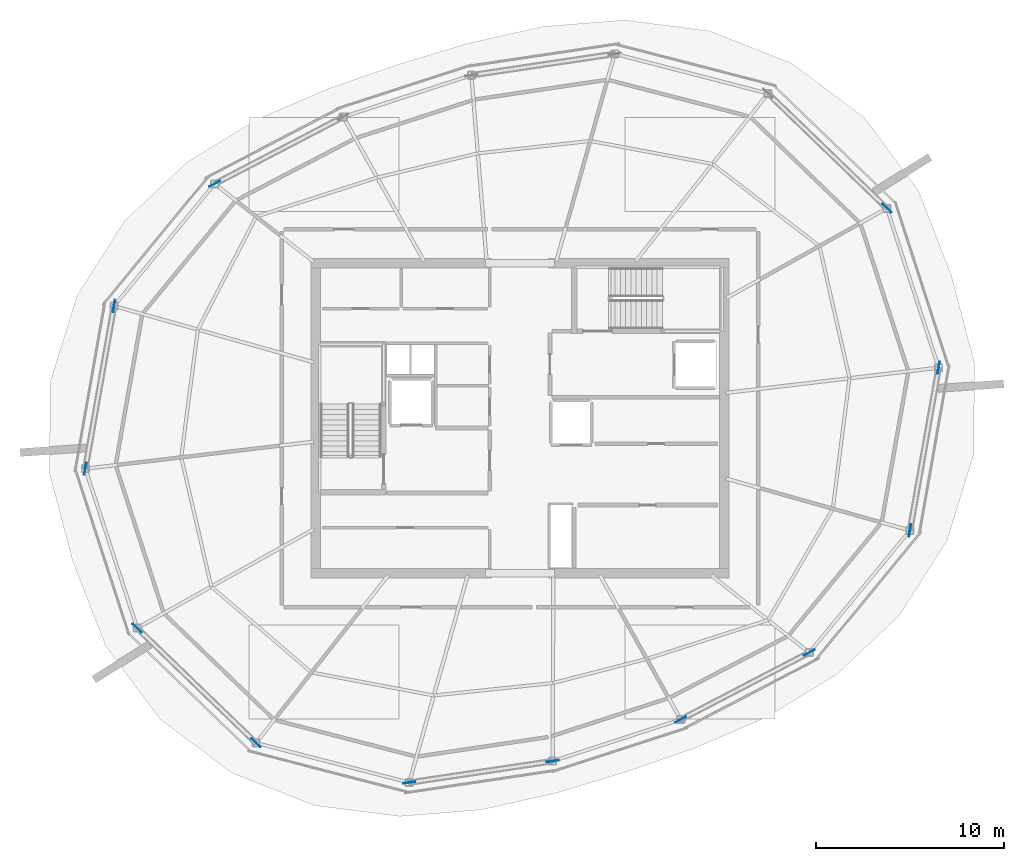
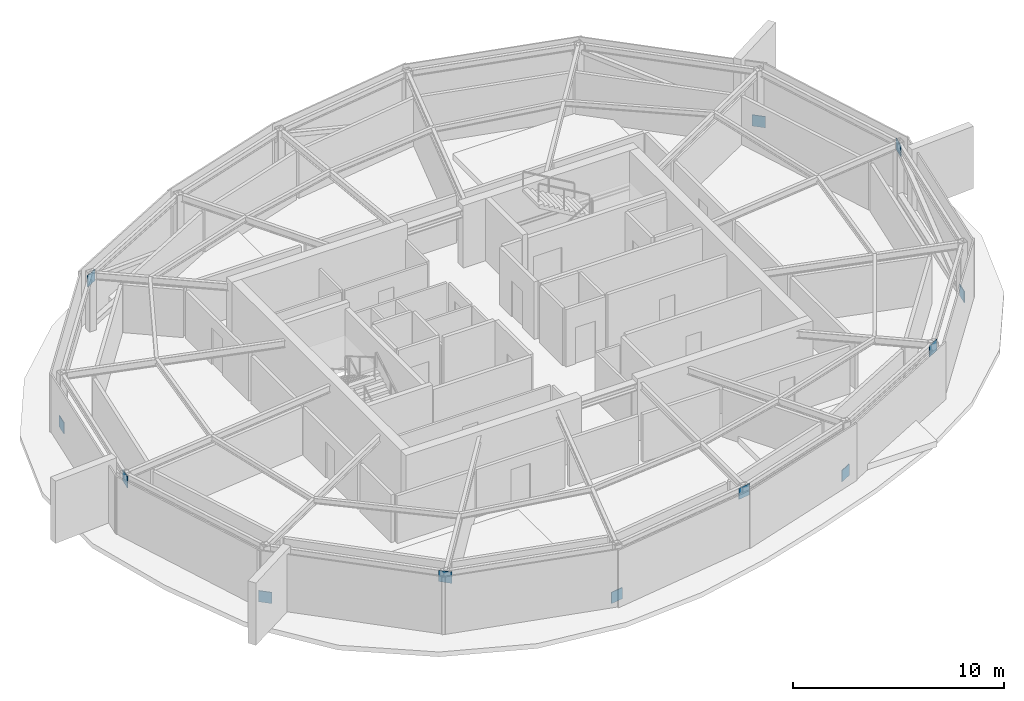
# One storey, part 6 of 10: 12 plates.
"""IFC4 building model written with IfcOpenShell, lengths in metres."""

from ifc_helpers import new_model, si_unit, direction, frame, origin, origin_2d, place, context, subcontext, project, spatial, rectangle, extrude, material, layer, layer_set, type_object, element, save


model = new_model("IFC4")

# Units and contexts
model_context = context("Model", 3, precision=1e-05, world=origin(), true_north=direction((0.0, 1.0)))
body_context = subcontext(model_context, "Body", "Model", "MODEL_VIEW")
ifc_project = project(units=[si_unit("LENGTHUNIT", "METRE"), si_unit("AREAUNIT", "SQUARE_METRE"), si_unit("VOLUMEUNIT", "CUBIC_METRE"), si_unit("PLANEANGLEUNIT", "RADIAN"), si_unit("MASSUNIT", "GRAM", prefix="KILO")], contexts=[model_context])

# Site, building, storey
site_placement = place(None, origin())
site = spatial("IfcSite", under=ifc_project, at=site_placement, CompositionType="ELEMENT")
building_placement = place(site_placement, origin())
building = spatial("IfcBuilding", under=site, at=building_placement, Name="Kazma Halo Residences", CompositionType="ELEMENT")
storey_placement = place(building_placement, frame((0.0, 0.0, 366.800048828125)))
storey = spatial("IfcBuildingStorey", under=building, at=storey_placement, Name="L92", CompositionType="ELEMENT", Elevation=366.800048828125)

# Plates
ifc_material = material(Name="Steel S355", Category="steel")
ifc_layer = layer(ifc_material, 0.0400390625)
ifc_layer_set = layer_set([ifc_layer], Name="Steel S355")
plate_type = type_object("IfcPlateType", Name="PLT-GUSSET-40", PredefinedType="SHEET", material=ifc_layer_set)
for number, where, z_axis, x_axis, name in (
    (1, (67.940673828125, 53.167236328125, -0.044921875), (0.0, 0.0, 1.0), (-0.719342064482, 0.694656025863, 0.0), "L92 crown brace lower gusset 01"),
    (2, (32.184814453125, 54.467529296875, 2.614990234375), (0.0, 0.0, 1.0), (-0.886949727325, -0.461865977529, 0.0), "L92 crown brace upper gusset 05"),
    (3, (26.830078125, 47.970458984375, -0.044921875), (0.0, 0.0, 1.0), (-0.173656186938, -0.984806340728, 0.0), "L92 crown brace lower gusset 07"),
    (4, (25.3037109375, 39.313720703125, 2.614990234375), (0.0, 0.0, 1.0), (-0.173656186938, -0.984806340728, 0.0), "L92 crown brace upper gusset 07"),
    (5, (28.059326171875, 30.832763671875, -0.044921875), (0.0, 0.0, 1.0), (0.719342064482, -0.694656025863, 0.0), "L92 crown brace lower gusset 09"),
    (6, (34.382568359375, 24.726318359375, 2.614990234375), (0.0, 0.0, 1.0), (0.719342064482, -0.694656025863, 0.0), "L92 crown brace upper gusset 09"),
    (7, (42.53369140625, 22.61767578125, -0.044921875), (0.0, 0.0, 1.0), (0.98903421845, 0.147686542161, 0.0), "L92 crown brace lower gusset 11"),
    (8, (50.1591796875, 23.75634765625, 2.614990234375), (0.0, 0.0, 1.0), (0.98903421845, 0.147686542161, 0.0), "L92 crown brace upper gusset 11"),
    (9, (56.9765625, 25.97119140625, -0.044921875), (0.0, 0.0, 1.0), (0.886949727325, 0.461865977529, 0.0), "L92 crown brace lower gusset 13"),
    (10, (63.815185546875, 29.532470703125, 2.614990234375), (0.0, 0.0, 1.0), (0.886949727325, 0.461865977529, 0.0), "L92 crown brace upper gusset 13"),
    (11, (69.169921875, 36.029541015625, -0.044921875), (0.0, 0.0, 1.0), (0.173656186938, 0.984806340728, 0.0), "L92 crown brace lower gusset 15"),
    (12, (70.6962890625, 44.686279296875, 2.614990234375), (0.0, 0.0, 1.0), (0.173656186938, 0.984806340728, 0.0), "L92 crown brace upper gusset 15"),
):
    element("IfcPlate", number, at=place(storey_placement, frame(where, z_axis=z_axis, x_axis=x_axis)), inside=storey, type_object=plate_type, Name=name, PredefinedType="SHEET", context=body_context, shape_type="SweptSolid", body=[
        extrude(rectangle(XDim=0.64990234375, YDim=0.0400390625, at=origin_2d()), origin(), (0.0, 0.0, 1.0), 0.64990234375),
    ])

save(model, "model.ifc")
